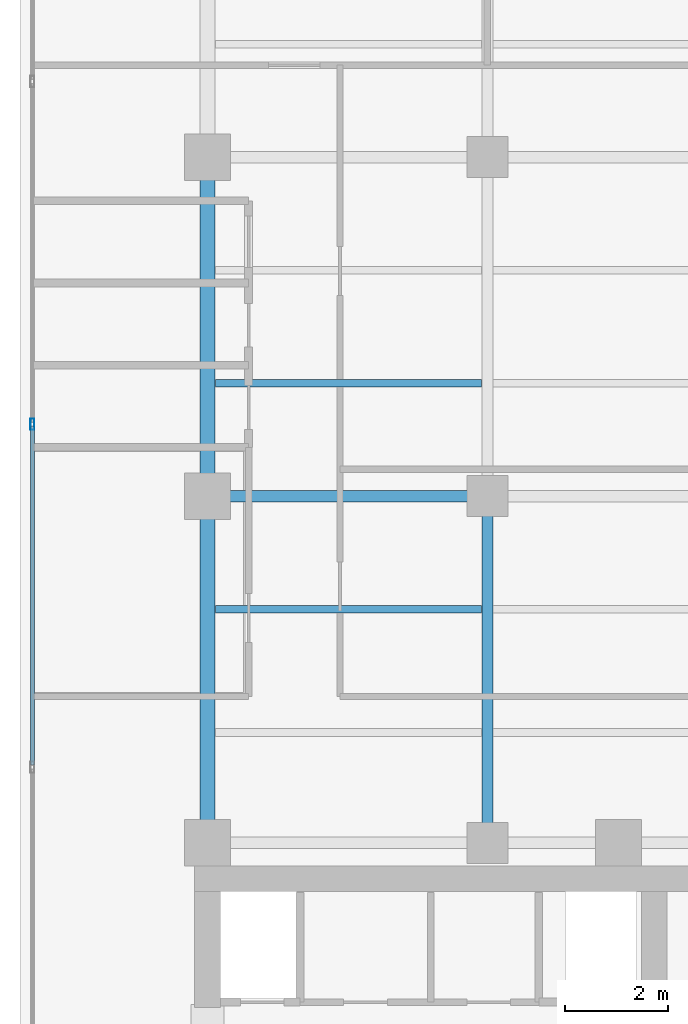
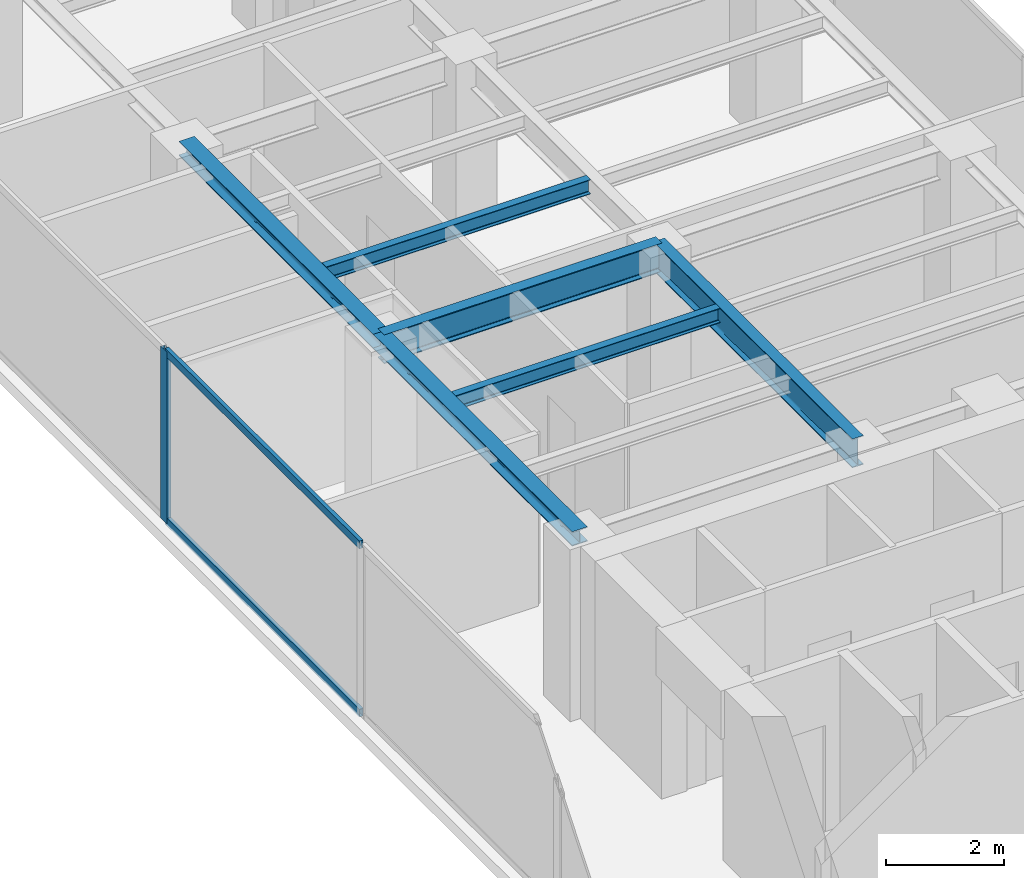
# One storey, part 7 of 23: 6 beams, 3 members, 1 element without a shape of its own.
"""IFC4 building model written with IfcOpenShell, lengths in metres."""

from ifc_helpers import new_model, si_unit, direction, frame, origin, origin_with_axes, origin_2d, place, context, subcontext, project, spatial, hollow_rectangle, i_section, extrude, source, transform, mapped, material, layer, layer_set, material_profile, profile_set, type_object, element, aggregate, save


model = new_model("IFC4")

# Units and contexts
model_context = context("Model", 3, precision=1e-05, world=origin(), true_north=direction((0.0, 1.0)))
body_context = subcontext(model_context, "Body", "Model", "MODEL_VIEW")
ifc_project = project(units=[si_unit("LENGTHUNIT", "METRE"), si_unit("AREAUNIT", "SQUARE_METRE"), si_unit("VOLUMEUNIT", "CUBIC_METRE"), si_unit("PLANEANGLEUNIT", "RADIAN"), si_unit("MASSUNIT", "GRAM", prefix="KILO")], contexts=[model_context])

# Site, building, storey
site_placement = place(None, origin())
site = spatial("IfcSite", under=ifc_project, at=site_placement, CompositionType="ELEMENT")
building_placement = place(site_placement, origin())
building = spatial("IfcBuilding", under=site, at=building_placement, Name="Kolvaren Waterfront Exchange", CompositionType="ELEMENT")
storey_placement = place(building_placement, frame((0.0, 0.0, 319.800048828125)))
storey = spatial("IfcBuildingStorey", under=building, at=storey_placement, Name="L82", CompositionType="ELEMENT", Elevation=319.800048828125)

# Beams
ifc_material_1 = material(Name="Steel S355", Category="steel")
ifc_material_profile_1 = material_profile(ifc_material_1, i_section(OverallWidth=0.300048828125, OverallDepth=0.300048828125, WebThickness=0.010986328125, FlangeThickness=0.01904296875, FilletRadius=0.027099609375, at=origin_2d()), Name="HEB300")
ifc_profile_set_1 = profile_set([ifc_material_profile_1], Name="Steel S355")
beam_type_1 = type_object("IfcBeamType", Name="STR-BM-HEB300", PredefinedType="SPANDREL", material=ifc_profile_set_1)
beam_1_placement = place(storey_placement, frame((7.449951171875, 24.449951171875, 3.409912109375), z_axis=(0.0, 1.0, 0.0), x_axis=(-1.0, 0.0, 0.0)))
element("IfcBeam", 1, at=beam_1_placement, inside=storey, type_object=beam_type_1, Name="L82 north-arm edge beam 1", PredefinedType="SPANDREL", context=body_context, shape_type="SweptSolid", body=[
    extrude(i_section(OverallWidth=0.300048828125, OverallDepth=0.300048828125, WebThickness=0.010986328125, FlangeThickness=0.01904296875, FilletRadius=0.027099609375, at=origin_2d()), origin(), (0.0, 0.0, 1.0), 6.75),
])
beam_2_placement = place(storey_placement, frame((7.449951171875, 31.199951171875, 3.409912109375), z_axis=(0.0, 1.0, 0.0), x_axis=(-1.0, 0.0, 0.0)))
element("IfcBeam", 2, at=beam_2_placement, inside=storey, type_object=beam_type_1, Name="L82 north-arm edge beam 2", PredefinedType="SPANDREL", context=body_context, shape_type="SweptSolid", body=[
    extrude(i_section(OverallWidth=0.300048828125, OverallDepth=0.300048828125, WebThickness=0.010986328125, FlangeThickness=0.01904296875, FilletRadius=0.027099609375, at=origin_2d()), origin(), (0.0, 0.0, 1.0), 6.60009765625),
])
ifc_material_profile_2 = material_profile(ifc_material_1, i_section(OverallWidth=0.14990234375, OverallDepth=0.300048828125, WebThickness=0.007080078125, FlangeThickness=0.0107421875, FilletRadius=0.014892578125, at=origin_2d()), Name="IPE300")
ifc_profile_set_2 = profile_set([ifc_material_profile_2], Name="Steel S355")
beam_type_2 = type_object("IfcBeamType", Name="STR-BM-IPE300", PredefinedType="JOIST", material=ifc_profile_set_2)
for number, where, z_axis, x_axis, name in (
    (3, (7.60205078125, 29.0, 3.409912109375), (1.0, 0.0, 0.0), (0.0, 1.0, 0.0), "L82 north-arm composite joist 2A"),
    (4, (7.60205078125, 33.39990234375, 3.409912109375), (1.0, 0.0, 0.0), (0.0, 1.0, 0.0), "L82 north-arm composite joist 3A"),
):
    element("IfcBeam", number, at=place(storey_placement, frame(where, z_axis=z_axis, x_axis=x_axis)), inside=storey, type_object=beam_type_2, Name=name, PredefinedType="JOIST", context=body_context, shape_type="SweptSolid", body=[
        extrude(i_section(OverallWidth=0.14990234375, OverallDepth=0.300048828125, WebThickness=0.007080078125, FlangeThickness=0.0107421875, FilletRadius=0.014892578125, at=origin_2d()), origin(), (0.0, 0.0, 1.0), 5.18603515625),
    ])
ifc_material_profile_3 = material_profile(ifc_material_1, i_section(OverallWidth=0.219970703125, OverallDepth=0.60009765625, WebThickness=0.011962890625, FlangeThickness=0.01904296875, FilletRadius=0.02392578125, at=origin_2d()), Name="IPE600")
ifc_profile_set_3 = profile_set([ifc_material_profile_3], Name="Steel S355")
beam_type_3 = type_object("IfcBeamType", Name="STR-BM-IPE600", PredefinedType="BEAM", material=ifc_profile_set_3)
beam_3_placement = place(storey_placement, frame((7.449951171875, 31.199951171875, 3.260009765625), z_axis=(1.0, 0.0, 0.0), x_axis=(0.0, 1.0, 0.0)))
element("IfcBeam", 5, at=beam_3_placement, inside=storey, type_object=beam_type_3, Name="L82 north-arm girder 2A", PredefinedType="BEAM", context=body_context, shape_type="SweptSolid", body=[
    extrude(i_section(OverallWidth=0.219970703125, OverallDepth=0.60009765625, WebThickness=0.011962890625, FlangeThickness=0.01904296875, FilletRadius=0.02392578125, at=origin_2d()), origin(), (0.0, 0.0, 1.0), 5.449951171875),
])
beam_4_placement = place(storey_placement, frame((12.89990234375, 24.449951171875, 3.260009765625), z_axis=(0.0, 1.0, 0.0), x_axis=(-1.0, 0.0, 0.0)))
element("IfcBeam", 6, at=beam_4_placement, inside=storey, type_object=beam_type_3, Name="L82 north-arm edge beam 1", PredefinedType="BEAM", context=body_context, shape_type="SweptSolid", body=[
    extrude(i_section(OverallWidth=0.219970703125, OverallDepth=0.60009765625, WebThickness=0.011962890625, FlangeThickness=0.01904296875, FilletRadius=0.02392578125, at=origin_2d()), origin(), (0.0, 0.0, 1.0), 6.75),
])

# Curtain wall, members
ifc_material_2 = material(Name="Anodised aluminium 6063-T6", Category="aluminium")
ifc_layer = layer(ifc_material_2, 0.219970703125, Name="Anodised aluminium 6063-T6")
ifc_layer_set = layer_set([ifc_layer], Name="Anodised aluminium 6063-T6")
curtain_wall_type = type_object("IfcCurtainWallType", Name="ARC-CW-SYS2", PredefinedType="USERDEFINED", material=ifc_layer_set)
curtain_wall_placement = place(storey_placement, origin())
curtain_wall = element("IfcCurtainWall", 7, at=curtain_wall_placement, inside=storey, type_object=curtain_wall_type, Name="L82 stick curtain wall CW2 (CW-L82-W)", ObjectType="STICK CURTAIN WALL", PredefinedType="USERDEFINED")
ifc_material_profile_4 = material_profile(ifc_material_2, hollow_rectangle(XDim=0.080078125, YDim=0.219970703125, WallThickness=0.0048828125, at=origin_2d()), Name="ALU-MUL-220x80x5")
ifc_profile_set_4 = profile_set([ifc_material_profile_4], Name="Anodised aluminium 6063-T6")
member_type_1 = type_object("IfcMemberType", Name="ARC-CWM-220", PredefinedType="MULLION", material=ifc_profile_set_4)
shared_shape_1 = source(origin_with_axes(), body_context, "Body", "SweptSolid", [
    extrude(hollow_rectangle(XDim=0.080078125, YDim=0.219970703125, WallThickness=0.0048828125, at=origin_2d()), origin(), (0.0, 0.0, 1.0), 3.56005859375),
])
member_1_placement = place(storey_placement, frame((4.0400390625, 32.598388671875, 0.0), z_axis=(0.0, 0.0, 1.0), x_axis=(-1.0, 0.0, 0.0)))
member_1 = element("IfcMember", 8, at=member_1_placement, type_object=member_type_1, Name="CW2 mullion 5", PredefinedType="MULLION", context=body_context, shape_type="MappedRepresentation", body=[
    mapped(shared_shape_1, transform((0.0, 0.0, 0.0), x_axis=(1.0, 0.0, 0.0), y_axis=(0.0, 1.0, 0.0), z_axis=(0.0, 0.0, 1.0), scale=1.0)),
])
ifc_material_profile_5 = material_profile(ifc_material_2, hollow_rectangle(XDim=0.074951171875, YDim=0.159912109375, WallThickness=0.00439453125, at=origin_2d()), Name="ALU-TRN-160x75x4.5")
ifc_profile_set_5 = profile_set([ifc_material_profile_5], Name="Anodised aluminium 6063-T6")
member_type_2 = type_object("IfcMemberType", Name="ARC-CWT-160", PredefinedType="USERDEFINED", material=ifc_profile_set_5)
shared_shape_2 = source(origin_with_axes(), body_context, "Body", "SweptSolid", [
    extrude(hollow_rectangle(XDim=0.074951171875, YDim=0.159912109375, WallThickness=0.00439453125, at=origin_2d()), origin(), (0.0, 0.0, 1.0), 6.5947265625),
])
member_2_placement = place(storey_placement, frame((4.0400390625, 25.963623046875, 0.037353515625), z_axis=(0.0, 1.0, 0.0), x_axis=(-1.0, 0.0, 0.0)))
member_2 = element("IfcMember", 9, at=member_2_placement, type_object=member_type_2, Name="CW2 transom 4.1", ObjectType="TRANSOM", PredefinedType="USERDEFINED", context=body_context, shape_type="MappedRepresentation", body=[
    mapped(shared_shape_2, transform((0.0, 0.0, 0.0), x_axis=(1.0, 0.0, 0.0), y_axis=(0.0, 1.0, 0.0), z_axis=(0.0, 0.0, 1.0), scale=1.0)),
])
member_3_placement = place(storey_placement, frame((4.0400390625, 25.963623046875, 3.5224609375), z_axis=(0.0, 1.0, 0.0), x_axis=(-1.0, 0.0, 0.0)))
member_3 = element("IfcMember", 10, at=member_3_placement, type_object=member_type_2, Name="CW2 transom 4.2", ObjectType="TRANSOM", PredefinedType="USERDEFINED", context=body_context, shape_type="MappedRepresentation", body=[
    mapped(shared_shape_2, transform((0.0, 0.0, 0.0), x_axis=(1.0, 0.0, 0.0), y_axis=(0.0, 1.0, 0.0), z_axis=(0.0, 0.0, 1.0), scale=1.0)),
])
aggregate(curtain_wall, [member_1, member_2, member_3])

save(model, "model.ifc")
